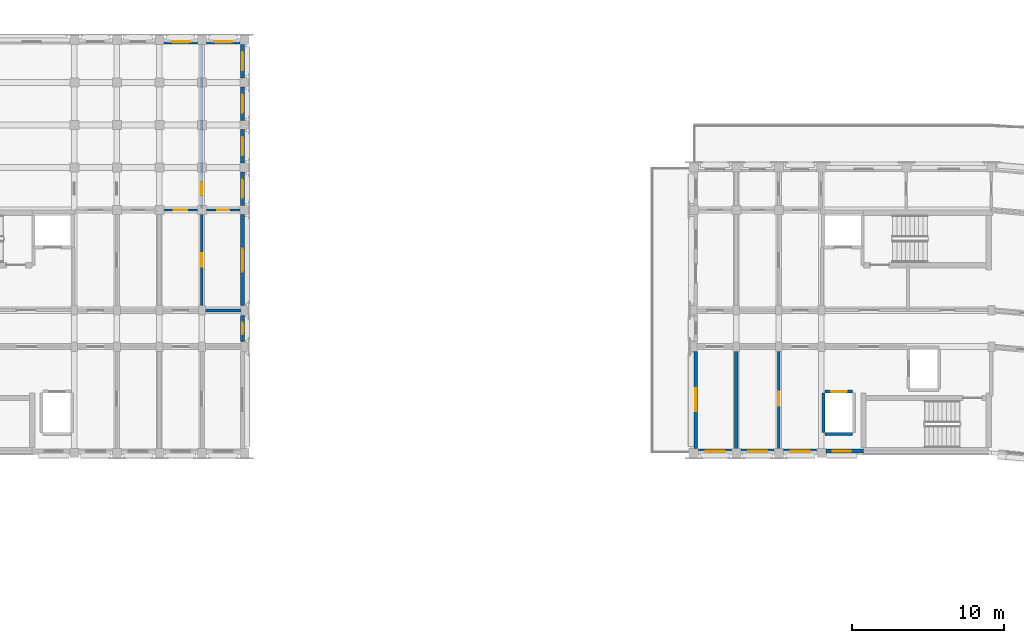
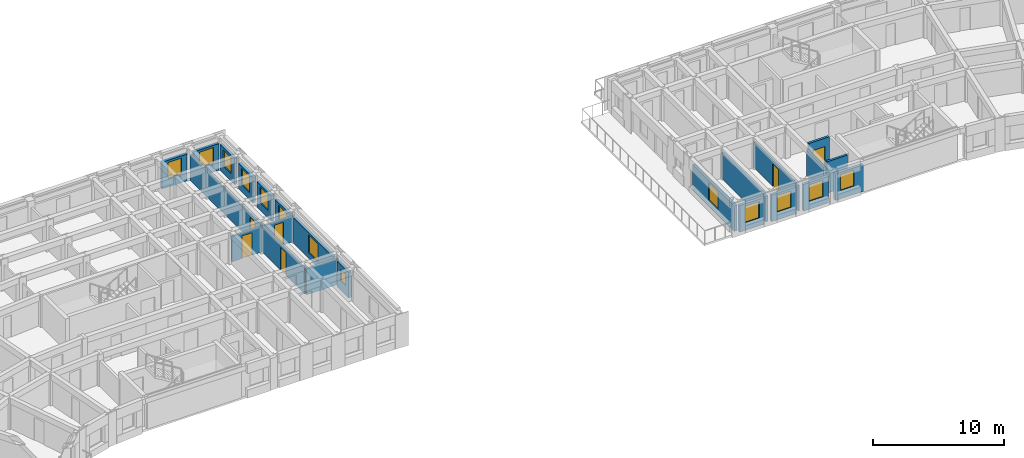
# One storey, part 17 of 36: 23 walls, 13 windows, 6 doors, 19 openings.
"""IFC4 building model written with IfcOpenShell, lengths in metres."""

from ifc_helpers import new_model, si_unit, direction, frame, frame_2d, origin, place, context, subcontext, project, spatial, rectangle, extrude, material, layer, layer_set, type_object, element, fill, save


model = new_model("IFC4")

# Units and contexts
model_context = context("Model", 3, precision=1e-05, world=origin(), true_north=direction((0.0, 1.0)))
body_context = subcontext(model_context, "Body", "Model", "MODEL_VIEW")
ifc_project = project(units=[si_unit("LENGTHUNIT", "METRE"), si_unit("AREAUNIT", "SQUARE_METRE"), si_unit("VOLUMEUNIT", "CUBIC_METRE"), si_unit("PLANEANGLEUNIT", "RADIAN"), si_unit("MASSUNIT", "GRAM", prefix="KILO")], contexts=[model_context])

# Site, building, storey
site_placement = place(None, origin())
site = spatial("IfcSite", under=ifc_project, at=site_placement, CompositionType="ELEMENT")
building_placement = place(site_placement, origin())
building = spatial("IfcBuilding", under=site, at=building_placement, Name="Kiranvali Square Residences", CompositionType="ELEMENT")
storey_placement = place(building_placement, frame((0.0, 0.0, 37.050048828125)))
storey = spatial("IfcBuildingStorey", under=building, at=storey_placement, Name="L11", CompositionType="ELEMENT", Elevation=37.050048828125)

# Walls
ifc_material_1 = material(Name="Autoclaved aerated concrete blockwork masonry", Category="masonry")
ifc_layer_1 = layer(ifc_material_1, 0.199951171875)
ifc_layer_set_1 = layer_set([ifc_layer_1], Name="Autoclaved aerated concrete blockwork masonry")
wall_type_1 = type_object("IfcWallType", Name="WL-COR-200", PredefinedType="STANDARD", material=ifc_layer_set_1)
wall_1_placement = place(storey_placement, frame((67.800048828125, 116.0, 0.0), z_axis=(0.0, 0.0, 1.0), x_axis=(1.0, 0.0, 0.0)))
element("IfcWall", 1, at=wall_1_placement, inside=storey, type_object=wall_type_1, Name="L11 architectural wall WL-L11-A-A1CO-3", PredefinedType="STANDARD", context=body_context, shape_type="SweptSolid", body=[
    extrude(rectangle(XDim=2.800048828125, YDim=0.199951171875, at=frame_2d((1.39990234375, 0.0))), origin(), (0.0, 0.0, 1.0), 2.3720703125),
])
ifc_layer_2 = layer(ifc_material_1, 0.219970703125)
ifc_layer_set_2 = layer_set([ifc_layer_2], Name="Autoclaved aerated concrete blockwork masonry")
wall_type_2 = type_object("IfcWallType", Name="WL-DEM-220", PredefinedType="STANDARD", material=ifc_layer_set_2)
wall_2_placement = place(storey_placement, frame((103.0, 106.800048828125, 0.0), z_axis=(0.0, 0.0, 1.0), x_axis=(0.0, 1.0, 0.0)))
element("IfcWall", 2, at=wall_2_placement, inside=storey, type_object=wall_type_2, Name="L11 architectural wall WL-L11-B-A1TI-2", PredefinedType="STANDARD", context=body_context, shape_type="SweptSolid", body=[
    extrude(rectangle(XDim=6.75, YDim=0.219970703125, at=frame_2d((3.375, 0.0))), origin(), (0.0, 0.0, 1.0), 2.3720703125),
])

# Wall, opening, window
ifc_material_2 = material(Name="Breathable lime-rendered clay brick masonry", Category="masonry")
ifc_layer_3 = layer(ifc_material_2, 0.25)
ifc_layer_set_3 = layer_set([ifc_layer_3], Name="Breathable lime-rendered clay brick masonry")
wall_type_3 = type_object("IfcWallType", Name="WL-EXT-250", PredefinedType="STANDARD", material=ifc_layer_set_3)
wall_3_placement = place(storey_placement, frame((65.303466796875, 133.675048828125, 0.0), z_axis=(0.0, 0.0, 1.0), x_axis=(1.0, 0.0, 0.0)))
wall_3 = element("IfcWall", 3, at=wall_3_placement, inside=storey, type_object=wall_type_3, Name="L11 exterior wall A-L11-A1O-4", PredefinedType="STANDARD", context=body_context, shape_type="SweptSolid", body=[
    extrude(rectangle(XDim=2.193115234375, YDim=0.25, at=frame_2d((1.0966796875, 0.0))), origin(), (0.0, 0.0, 1.0), 2.47998046875),
])
opening_1_placement = place(wall_3_placement, frame((0.49658203125, 0.0, 0.780029296875)))
opening_1 = element("IfcOpeningElement", 4, at=opening_1_placement, cuts=wall_3, Name="Opening W-06", PredefinedType="OPENING", context=body_context, shape_type="SweptSolid", body=[
    extrude(rectangle(XDim=1.199951171875, YDim=1.5, at=frame_2d((0.60009765625, 0.75))), frame((0.0, 0.135009765625, 0.0), z_axis=(0.0, -1.0, 0.0), x_axis=(1.0, 0.0, 0.0)), (0.0, 0.0, 1.0), 0.27001953125),
])
ifc_material_3 = material(Name="Solar-control low-e double glazing", Category="glass")
window_type_1 = type_object("IfcWindowType", Name="WIN-RES-1200x1500", PartitioningType="SINGLE_PANEL", PredefinedType="WINDOW", material=ifc_material_3)
window_1_placement = place(opening_1_placement, origin())
window_1 = element("IfcWindow", 5, at=window_1_placement, inside=storey, type_object=window_type_1, Name="L11 recessed window A-L11-A1O-4", OverallHeight=1.5, OverallWidth=1.199951171875, PartitioningType="SINGLE_PANEL", PredefinedType="WINDOW", context=body_context, shape_type="SweptSolid", body=[
    extrude(rectangle(XDim=1.199951171875, YDim=1.5, at=frame_2d((0.60009765625, 0.75))), frame((0.0, 0.030029296875, 0.0), z_axis=(0.0, -1.0, 0.0), x_axis=(1.0, 0.0, 0.0)), (0.0, 0.0, 1.0), 0.06005859375),
])
fill(opening_1, window_1)

wall_4_placement = place(storey_placement, frame((68.103515625, 133.675048828125, 0.0), z_axis=(0.0, 0.0, 1.0), x_axis=(1.0, 0.0, 0.0)))
wall_4 = element("IfcWall", 6, at=wall_4_placement, inside=storey, type_object=wall_type_3, Name="L11 exterior wall A-L11-A1O-5", PredefinedType="STANDARD", context=body_context, shape_type="SweptSolid", body=[
    extrude(rectangle(XDim=2.19287109375, YDim=0.25, at=frame_2d((1.096435546875, 0.0))), origin(), (0.0, 0.0, 1.0), 2.47998046875),
])
opening_2_placement = place(wall_4_placement, frame((0.49658203125, 0.0, 0.780029296875)))
opening_2 = element("IfcOpeningElement", 7, at=opening_2_placement, cuts=wall_4, Name="Opening W-06", PredefinedType="OPENING", context=body_context, shape_type="SweptSolid", body=[
    extrude(rectangle(XDim=1.199951171875, YDim=1.5, at=frame_2d((0.60009765625, 0.75))), frame((0.0, 0.135009765625, 0.0), z_axis=(0.0, -1.0, 0.0), x_axis=(1.0, 0.0, 0.0)), (0.0, 0.0, 1.0), 0.27001953125),
])
window_2_placement = place(opening_2_placement, origin())
window_2 = element("IfcWindow", 8, at=window_2_placement, inside=storey, type_object=window_type_1, Name="L11 recessed window A-L11-A1O-5", OverallHeight=1.5, OverallWidth=1.199951171875, PartitioningType="SINGLE_PANEL", PredefinedType="WINDOW", context=body_context, shape_type="SweptSolid", body=[
    extrude(rectangle(XDim=1.199951171875, YDim=1.5, at=frame_2d((0.60009765625, 0.75))), frame((0.0, 0.030029296875, 0.0), z_axis=(0.0, -1.0, 0.0), x_axis=(1.0, 0.0, 0.0)), (0.0, 0.0, 1.0), 0.06005859375),
])
fill(opening_2, window_2)

wall_5_placement = place(storey_placement, frame((70.47509765625, 113.928466796875, 0.0), z_axis=(0.0, 0.0, 1.0), x_axis=(0.0, 1.0, 0.0)))
wall_5 = element("IfcWall", 9, at=wall_5_placement, inside=storey, type_object=wall_type_3, Name="L11 exterior wall A-L11-A1END-1", PredefinedType="STANDARD", context=body_context, shape_type="SweptSolid", body=[
    extrude(rectangle(XDim=1.742919921875, YDim=0.25, at=frame_2d((0.87158203125, 0.0))), origin(), (0.0, 0.0, 1.0), 2.3720703125),
])
opening_3_placement = place(wall_5_placement, frame((0.49658203125, 0.0, 0.8798828125)))
opening_3 = element("IfcOpeningElement", 10, at=opening_3_placement, cuts=wall_5, Name="Opening W-07", PredefinedType="OPENING", context=body_context, shape_type="SweptSolid", body=[
    extrude(rectangle(XDim=0.75, YDim=1.050048828125, at=frame_2d((0.375, 0.52490234375))), frame((0.0, 0.135009765625, 0.0), z_axis=(0.0, -1.0, 0.0), x_axis=(1.0, 0.0, 0.0)), (0.0, 0.0, 1.0), 0.27001953125),
])
window_type_2 = type_object("IfcWindowType", Name="WIN-WET-750x1050", PartitioningType="SINGLE_PANEL", PredefinedType="WINDOW", material=ifc_material_3)
window_3_placement = place(opening_3_placement, origin())
window_3 = element("IfcWindow", 11, at=window_3_placement, inside=storey, type_object=window_type_2, Name="L11 recessed window A-L11-A1END-1", OverallHeight=1.050048828125, OverallWidth=0.75, PartitioningType="SINGLE_PANEL", PredefinedType="WINDOW", context=body_context, shape_type="SweptSolid", body=[
    extrude(rectangle(XDim=0.75, YDim=1.050048828125, at=frame_2d((0.375, 0.52490234375))), frame((0.0, 0.030029296875, 0.0), z_axis=(0.0, -1.0, 0.0), x_axis=(1.0, 0.0, 0.0)), (0.0, 0.0, 1.0), 0.06005859375),
])
fill(opening_3, window_3)

wall_6_placement = place(storey_placement, frame((70.47509765625, 116.32861328125, 0.0), z_axis=(0.0, 0.0, 1.0), x_axis=(0.0, 1.0, 0.0)))
wall_6 = element("IfcWall", 12, at=wall_6_placement, inside=storey, type_object=wall_type_3, Name="L11 exterior wall A-L11-A1END-2", PredefinedType="STANDARD", context=body_context, shape_type="SweptSolid", body=[
    extrude(rectangle(XDim=5.9677734375, YDim=0.25, at=frame_2d((2.98388671875, 0.0))), origin(), (0.0, 0.0, 1.0), 2.3720703125),
])
opening_4_placement = place(wall_6_placement, frame((2.221435546875, 0.0, 0.52197265625)))
opening_4 = element("IfcOpeningElement", 13, at=opening_4_placement, cuts=wall_6, Name="Opening W-05", PredefinedType="OPENING", context=body_context, shape_type="SweptSolid", body=[
    extrude(rectangle(XDim=1.5, YDim=1.64990234375, at=frame_2d((0.75, 0.824951171875))), frame((0.0, 0.135009765625, 0.0), z_axis=(0.0, -1.0, 0.0), x_axis=(1.0, 0.0, 0.0)), (0.0, 0.0, 1.0), 0.27001953125),
])
window_type_3 = type_object("IfcWindowType", Name="WIN-RES-1500x1650", PartitioningType="DOUBLE_PANEL_VERTICAL", PredefinedType="WINDOW", material=ifc_material_3)
window_4_placement = place(opening_4_placement, origin())
window_4 = element("IfcWindow", 14, at=window_4_placement, inside=storey, type_object=window_type_3, Name="L11 recessed window A-L11-A1END-2", OverallHeight=1.64990234375, OverallWidth=1.5, PartitioningType="DOUBLE_PANEL_VERTICAL", PredefinedType="WINDOW", context=body_context, shape_type="SweptSolid", body=[
    extrude(rectangle(XDim=1.5, YDim=1.64990234375, at=frame_2d((0.75, 0.824951171875))), frame((0.0, 0.030029296875, 0.0), z_axis=(0.0, -1.0, 0.0), x_axis=(1.0, 0.0, 0.0)), (0.0, 0.0, 1.0), 0.06005859375),
])
fill(opening_4, window_4)

wall_7_placement = place(storey_placement, frame((70.47509765625, 122.903564453125, 0.0), z_axis=(0.0, 0.0, 1.0), x_axis=(0.0, 1.0, 0.0)))
wall_7 = element("IfcWall", 15, at=wall_7_placement, inside=storey, type_object=wall_type_3, Name="L11 exterior wall A-L11-A1END-3", PredefinedType="STANDARD", context=body_context, shape_type="SweptSolid", body=[
    extrude(rectangle(XDim=2.19287109375, YDim=0.25, at=frame_2d((1.096435546875, 0.0))), origin(), (0.0, 0.0, 1.0), 2.3720703125),
])
opening_5_placement = place(wall_7_placement, frame((0.49658203125, 0.0, 0.672119140625)))
opening_5 = element("IfcOpeningElement", 16, at=opening_5_placement, cuts=wall_7, Name="Opening W-06", PredefinedType="OPENING", context=body_context, shape_type="SweptSolid", body=[
    extrude(rectangle(XDim=1.199951171875, YDim=1.5, at=frame_2d((0.60009765625, 0.75))), frame((0.0, 0.135009765625, 0.0), z_axis=(0.0, -1.0, 0.0), x_axis=(1.0, 0.0, 0.0)), (0.0, 0.0, 1.0), 0.27001953125),
])
window_5_placement = place(opening_5_placement, origin())
window_5 = element("IfcWindow", 17, at=window_5_placement, inside=storey, type_object=window_type_1, Name="L11 recessed window A-L11-A1END-3", OverallHeight=1.5, OverallWidth=1.199951171875, PartitioningType="SINGLE_PANEL", PredefinedType="WINDOW", context=body_context, shape_type="SweptSolid", body=[
    extrude(rectangle(XDim=1.199951171875, YDim=1.5, at=frame_2d((0.60009765625, 0.75))), frame((0.0, 0.030029296875, 0.0), z_axis=(0.0, -1.0, 0.0), x_axis=(1.0, 0.0, 0.0)), (0.0, 0.0, 1.0), 0.06005859375),
])
fill(opening_5, window_5)

wall_8_placement = place(storey_placement, frame((70.47509765625, 125.70361328125, 0.0), z_axis=(0.0, 0.0, 1.0), x_axis=(0.0, 1.0, 0.0)))
wall_8 = element("IfcWall", 18, at=wall_8_placement, inside=storey, type_object=wall_type_3, Name="L11 exterior wall A-L11-A1END-4", PredefinedType="STANDARD", context=body_context, shape_type="SweptSolid", body=[
    extrude(rectangle(XDim=2.19287109375, YDim=0.25, at=frame_2d((1.096435546875, 0.0))), origin(), (0.0, 0.0, 1.0), 2.3720703125),
])
opening_6_placement = place(wall_8_placement, frame((0.49658203125, 0.0, 0.672119140625)))
opening_6 = element("IfcOpeningElement", 19, at=opening_6_placement, cuts=wall_8, Name="Opening W-06", PredefinedType="OPENING", context=body_context, shape_type="SweptSolid", body=[
    extrude(rectangle(XDim=1.199951171875, YDim=1.5, at=frame_2d((0.60009765625, 0.75))), frame((0.0, 0.135009765625, 0.0), z_axis=(0.0, -1.0, 0.0), x_axis=(1.0, 0.0, 0.0)), (0.0, 0.0, 1.0), 0.27001953125),
])
window_6_placement = place(opening_6_placement, origin())
window_6 = element("IfcWindow", 20, at=window_6_placement, inside=storey, type_object=window_type_1, Name="L11 recessed window A-L11-A1END-4", OverallHeight=1.5, OverallWidth=1.199951171875, PartitioningType="SINGLE_PANEL", PredefinedType="WINDOW", context=body_context, shape_type="SweptSolid", body=[
    extrude(rectangle(XDim=1.199951171875, YDim=1.5, at=frame_2d((0.60009765625, 0.75))), frame((0.0, 0.030029296875, 0.0), z_axis=(0.0, -1.0, 0.0), x_axis=(1.0, 0.0, 0.0)), (0.0, 0.0, 1.0), 0.06005859375),
])
fill(opening_6, window_6)

wall_9_placement = place(storey_placement, frame((70.47509765625, 128.50341796875, 0.0), z_axis=(0.0, 0.0, 1.0), x_axis=(0.0, 1.0, 0.0)))
wall_9 = element("IfcWall", 21, at=wall_9_placement, inside=storey, type_object=wall_type_3, Name="L11 exterior wall A-L11-A1END-5", PredefinedType="STANDARD", context=body_context, shape_type="SweptSolid", body=[
    extrude(rectangle(XDim=2.193115234375, YDim=0.25, at=frame_2d((1.0966796875, 0.0))), origin(), (0.0, 0.0, 1.0), 2.3720703125),
])
opening_7_placement = place(wall_9_placement, frame((0.49658203125, 0.0, 0.672119140625)))
opening_7 = element("IfcOpeningElement", 22, at=opening_7_placement, cuts=wall_9, Name="Opening W-06", PredefinedType="OPENING", context=body_context, shape_type="SweptSolid", body=[
    extrude(rectangle(XDim=1.199951171875, YDim=1.5, at=frame_2d((0.60009765625, 0.75))), frame((0.0, 0.135009765625, 0.0), z_axis=(0.0, -1.0, 0.0), x_axis=(1.0, 0.0, 0.0)), (0.0, 0.0, 1.0), 0.27001953125),
])
window_7_placement = place(opening_7_placement, origin())
window_7 = element("IfcWindow", 23, at=window_7_placement, inside=storey, type_object=window_type_1, Name="L11 recessed window A-L11-A1END-5", OverallHeight=1.5, OverallWidth=1.199951171875, PartitioningType="SINGLE_PANEL", PredefinedType="WINDOW", context=body_context, shape_type="SweptSolid", body=[
    extrude(rectangle(XDim=1.199951171875, YDim=1.5, at=frame_2d((0.60009765625, 0.75))), frame((0.0, 0.030029296875, 0.0), z_axis=(0.0, -1.0, 0.0), x_axis=(1.0, 0.0, 0.0)), (0.0, 0.0, 1.0), 0.06005859375),
])
fill(opening_7, window_7)

wall_10_placement = place(storey_placement, frame((70.47509765625, 131.303466796875, 0.0), z_axis=(0.0, 0.0, 1.0), x_axis=(0.0, 1.0, 0.0)))
wall_10 = element("IfcWall", 24, at=wall_10_placement, inside=storey, type_object=wall_type_3, Name="L11 exterior wall A-L11-A1END-6", PredefinedType="STANDARD", context=body_context, shape_type="SweptSolid", body=[
    extrude(rectangle(XDim=2.193115234375, YDim=0.25, at=frame_2d((1.0966796875, 0.0))), origin(), (0.0, 0.0, 1.0), 2.411865234375),
])
opening_8_placement = place(wall_10_placement, frame((0.49658203125, 0.0, 0.7119140625)))
opening_8 = element("IfcOpeningElement", 25, at=opening_8_placement, cuts=wall_10, Name="Opening W-06", PredefinedType="OPENING", context=body_context, shape_type="SweptSolid", body=[
    extrude(rectangle(XDim=1.199951171875, YDim=1.5, at=frame_2d((0.60009765625, 0.75))), frame((0.0, 0.135009765625, 0.0), z_axis=(0.0, -1.0, 0.0), x_axis=(1.0, 0.0, 0.0)), (0.0, 0.0, 1.0), 0.27001953125),
])
window_8_placement = place(opening_8_placement, origin())
window_8 = element("IfcWindow", 26, at=window_8_placement, inside=storey, type_object=window_type_1, Name="L11 recessed window A-L11-A1END-6", OverallHeight=1.5, OverallWidth=1.199951171875, PartitioningType="SINGLE_PANEL", PredefinedType="WINDOW", context=body_context, shape_type="SweptSolid", body=[
    extrude(rectangle(XDim=1.199951171875, YDim=1.5, at=frame_2d((0.60009765625, 0.75))), frame((0.0, 0.030029296875, 0.0), z_axis=(0.0, -1.0, 0.0), x_axis=(1.0, 0.0, 0.0)), (0.0, 0.0, 1.0), 0.06005859375),
])
fill(opening_8, window_8)

wall_11_placement = place(storey_placement, frame((111.37158203125, 106.72509765625, 0.0), z_axis=(0.0, 0.0, 1.0), x_axis=(-1.0, 0.0, 0.0)))
wall_11 = element("IfcWall", 27, at=wall_11_placement, inside=storey, type_object=wall_type_3, Name="L11 exterior wall B-L11-A1IN-0", PredefinedType="STANDARD", context=body_context, shape_type="SweptSolid", body=[
    extrude(rectangle(XDim=2.468017578125, YDim=0.25, at=frame_2d((1.23388671875, 0.0))), origin(), (0.0, 0.0, 1.0), 2.471923828125),
])
opening_9_placement = place(wall_11_placement, frame((0.821533203125, 0.0, 0.77197265625)))
opening_9 = element("IfcOpeningElement", 28, at=opening_9_placement, cuts=wall_11, Name="Opening W-06", PredefinedType="OPENING", context=body_context, shape_type="SweptSolid", body=[
    extrude(rectangle(XDim=1.199951171875, YDim=1.5, at=frame_2d((0.60009765625, 0.75))), frame((0.0, 0.135009765625, 0.0), z_axis=(0.0, -1.0, 0.0), x_axis=(1.0, 0.0, 0.0)), (0.0, 0.0, 1.0), 0.27001953125),
])
window_9_placement = place(opening_9_placement, origin())
window_9 = element("IfcWindow", 29, at=window_9_placement, inside=storey, type_object=window_type_1, Name="L11 recessed window B-L11-A1IN-0", OverallHeight=1.5, OverallWidth=1.199951171875, PartitioningType="SINGLE_PANEL", PredefinedType="WINDOW", context=body_context, shape_type="SweptSolid", body=[
    extrude(rectangle(XDim=1.199951171875, YDim=1.5, at=frame_2d((0.60009765625, 0.75))), frame((0.0, 0.030029296875, 0.0), z_axis=(0.0, -1.0, 0.0), x_axis=(1.0, 0.0, 0.0)), (0.0, 0.0, 1.0), 0.06005859375),
])
fill(opening_9, window_9)

wall_12_placement = place(storey_placement, frame((108.29638671875, 106.72509765625, 0.0), z_axis=(0.0, 0.0, 1.0), x_axis=(-1.0, 0.0, 0.0)))
wall_12 = element("IfcWall", 30, at=wall_12_placement, inside=storey, type_object=wall_type_3, Name="L11 exterior wall B-L11-A1I-0", PredefinedType="STANDARD", context=body_context, shape_type="SweptSolid", body=[
    extrude(rectangle(XDim=2.19287109375, YDim=0.25, at=frame_2d((1.096435546875, 0.0))), origin(), (0.0, 0.0, 1.0), 2.471923828125),
])
opening_10_placement = place(wall_12_placement, frame((0.471435546875, 0.0, 0.721923828125)))
opening_10 = element("IfcOpeningElement", 31, at=opening_10_placement, cuts=wall_12, Name="Opening W-19", PredefinedType="OPENING", context=body_context, shape_type="SweptSolid", body=[
    extrude(rectangle(XDim=1.25, YDim=1.550048828125, at=frame_2d((0.625, 0.77490234375))), frame((0.0, 0.135009765625, 0.0), z_axis=(0.0, -1.0, 0.0), x_axis=(1.0, 0.0, 0.0)), (0.0, 0.0, 1.0), 0.27001953125),
])
window_type_4 = type_object("IfcWindowType", Name="WIN-GDN-1250x1550", PartitioningType="SINGLE_PANEL", PredefinedType="WINDOW", material=ifc_material_3)
window_10_placement = place(opening_10_placement, origin())
window_10 = element("IfcWindow", 32, at=window_10_placement, inside=storey, type_object=window_type_4, Name="L11 recessed window B-L11-A1I-0", OverallHeight=1.550048828125, OverallWidth=1.25, PartitioningType="SINGLE_PANEL", PredefinedType="WINDOW", context=body_context, shape_type="SweptSolid", body=[
    extrude(rectangle(XDim=1.25, YDim=1.550048828125, at=frame_2d((0.625, 0.77490234375))), frame((0.0, 0.030029296875, 0.0), z_axis=(0.0, -1.0, 0.0), x_axis=(1.0, 0.0, 0.0)), (0.0, 0.0, 1.0), 0.06005859375),
])
fill(opening_10, window_10)

wall_13_placement = place(storey_placement, frame((105.49658203125, 106.72509765625, 0.0), z_axis=(0.0, 0.0, 1.0), x_axis=(-1.0, 0.0, 0.0)))
wall_13 = element("IfcWall", 33, at=wall_13_placement, inside=storey, type_object=wall_type_3, Name="L11 exterior wall B-L11-A1I-1", PredefinedType="STANDARD", context=body_context, shape_type="SweptSolid", body=[
    extrude(rectangle(XDim=2.193115234375, YDim=0.25, at=frame_2d((1.0966796875, 0.0))), origin(), (0.0, 0.0, 1.0), 2.471923828125),
])
opening_11_placement = place(wall_13_placement, frame((0.471435546875, 0.0, 0.721923828125)))
opening_11 = element("IfcOpeningElement", 34, at=opening_11_placement, cuts=wall_13, Name="Opening W-19", PredefinedType="OPENING", context=body_context, shape_type="SweptSolid", body=[
    extrude(rectangle(XDim=1.25, YDim=1.550048828125, at=frame_2d((0.625, 0.77490234375))), frame((0.0, 0.135009765625, 0.0), z_axis=(0.0, -1.0, 0.0), x_axis=(1.0, 0.0, 0.0)), (0.0, 0.0, 1.0), 0.27001953125),
])
window_11_placement = place(opening_11_placement, origin())
window_11 = element("IfcWindow", 35, at=window_11_placement, inside=storey, type_object=window_type_4, Name="L11 recessed window B-L11-A1I-1", OverallHeight=1.550048828125, OverallWidth=1.25, PartitioningType="SINGLE_PANEL", PredefinedType="WINDOW", context=body_context, shape_type="SweptSolid", body=[
    extrude(rectangle(XDim=1.25, YDim=1.550048828125, at=frame_2d((0.625, 0.77490234375))), frame((0.0, 0.030029296875, 0.0), z_axis=(0.0, -1.0, 0.0), x_axis=(1.0, 0.0, 0.0)), (0.0, 0.0, 1.0), 0.06005859375),
])
fill(opening_11, window_11)

wall_14_placement = place(storey_placement, frame((102.696533203125, 106.72509765625, 0.0), z_axis=(0.0, 0.0, 1.0), x_axis=(-1.0, 0.0, 0.0)))
wall_14 = element("IfcWall", 36, at=wall_14_placement, inside=storey, type_object=wall_type_3, Name="L11 exterior wall B-L11-A1I-2", PredefinedType="STANDARD", context=body_context, shape_type="SweptSolid", body=[
    extrude(rectangle(XDim=2.193115234375, YDim=0.25, at=frame_2d((1.0966796875, 0.0))), origin(), (0.0, 0.0, 1.0), 2.471923828125),
])
opening_12_placement = place(wall_14_placement, frame((0.471435546875, 0.0, 0.721923828125)))
opening_12 = element("IfcOpeningElement", 37, at=opening_12_placement, cuts=wall_14, Name="Opening W-19", PredefinedType="OPENING", context=body_context, shape_type="SweptSolid", body=[
    extrude(rectangle(XDim=1.25, YDim=1.550048828125, at=frame_2d((0.625, 0.77490234375))), frame((0.0, 0.135009765625, 0.0), z_axis=(0.0, -1.0, 0.0), x_axis=(1.0, 0.0, 0.0)), (0.0, 0.0, 1.0), 0.27001953125),
])
window_12_placement = place(opening_12_placement, origin())
window_12 = element("IfcWindow", 38, at=window_12_placement, inside=storey, type_object=window_type_4, Name="L11 recessed window B-L11-A1I-2", OverallHeight=1.550048828125, OverallWidth=1.25, PartitioningType="SINGLE_PANEL", PredefinedType="WINDOW", context=body_context, shape_type="SweptSolid", body=[
    extrude(rectangle(XDim=1.25, YDim=1.550048828125, at=frame_2d((0.625, 0.77490234375))), frame((0.0, 0.030029296875, 0.0), z_axis=(0.0, -1.0, 0.0), x_axis=(1.0, 0.0, 0.0)), (0.0, 0.0, 1.0), 0.06005859375),
])
fill(opening_12, window_12)

wall_15_placement = place(storey_placement, frame((100.324951171875, 106.903564453125, 0.0), z_axis=(0.0, 0.0, 1.0), x_axis=(0.0, 1.0, 0.0)))
wall_15 = element("IfcWall", 39, at=wall_15_placement, inside=storey, type_object=wall_type_3, Name="L11 exterior wall B-L11-A1END-0", PredefinedType="STANDARD", context=body_context, shape_type="SweptSolid", body=[
    extrude(rectangle(XDim=6.367919921875, YDim=0.25, at=frame_2d((3.18408203125, 0.0))), origin(), (0.0, 0.0, 1.0), 2.3720703125),
])
opening_13_placement = place(wall_15_placement, frame((2.446533203125, 0.0, 0.52197265625)))
opening_13 = element("IfcOpeningElement", 40, at=opening_13_placement, cuts=wall_15, Name="Opening W-05", PredefinedType="OPENING", context=body_context, shape_type="SweptSolid", body=[
    extrude(rectangle(XDim=1.5, YDim=1.64990234375, at=frame_2d((0.75, 0.824951171875))), frame((0.0, 0.135009765625, 0.0), z_axis=(0.0, -1.0, 0.0), x_axis=(1.0, 0.0, 0.0)), (0.0, 0.0, 1.0), 0.27001953125),
])
window_13_placement = place(opening_13_placement, origin())
window_13 = element("IfcWindow", 41, at=window_13_placement, inside=storey, type_object=window_type_3, Name="L11 recessed window B-L11-A1END-0", OverallHeight=1.64990234375, OverallWidth=1.5, PartitioningType="DOUBLE_PANEL_VERTICAL", PredefinedType="WINDOW", context=body_context, shape_type="SweptSolid", body=[
    extrude(rectangle(XDim=1.5, YDim=1.64990234375, at=frame_2d((0.75, 0.824951171875))), frame((0.0, 0.030029296875, 0.0), z_axis=(0.0, -1.0, 0.0), x_axis=(1.0, 0.0, 0.0)), (0.0, 0.0, 1.0), 0.06005859375),
])
fill(opening_13, window_13)

# Wall, opening, door
ifc_material_4 = material(Name="Acoustic gypsum board drylined partition", Category="gypsum")
ifc_layer_4 = layer(ifc_material_4, 0.14990234375)
ifc_layer_set_4 = layer_set([ifc_layer_4], Name="Acoustic gypsum board drylined partition")
wall_type_4 = type_object("IfcWallType", Name="WL-PRT-150", PredefinedType="PARTITIONING", material=ifc_layer_set_4)
wall_16_placement = place(storey_placement, frame((67.800048828125, 116.050048828125, 0.0), z_axis=(0.0, 0.0, 1.0), x_axis=(0.0, 1.0, 0.0)))
wall_16 = element("IfcWall", 42, at=wall_16_placement, inside=storey, type_object=wall_type_4, Name="L11 architectural wall WL-L11-A-A1TO1-3", PredefinedType="PARTITIONING", context=body_context, shape_type="SweptSolid", body=[
    extrude(rectangle(XDim=6.530029296875, YDim=0.14990234375, at=frame_2d((3.26513671875, 0.0))), origin(), (0.0, 0.0, 1.0), 2.3720703125),
])
opening_14_placement = place(wall_16_placement, frame((2.81494140625, 0.0, 0.0)))
opening_14 = element("IfcOpeningElement", 43, at=opening_14_placement, cuts=wall_16, Name="Opening ID-1", PredefinedType="OPENING", context=body_context, shape_type="SweptSolid", body=[
    extrude(rectangle(XDim=0.89990234375, YDim=2.10009765625, at=frame_2d((0.449951171875, 1.050048828125))), frame((0.0, 0.0849609375, 0.0), z_axis=(0.0, -1.0, 0.0), x_axis=(1.0, 0.0, 0.0)), (0.0, 0.0, 1.0), 0.169921875),
])
ifc_material_5 = material(Name="Solid seasoned teak hardwood joinery", Category="wood")
door_type_1 = type_object("IfcDoorType", Name="DR-INT-900", OperationType="NOTDEFINED", PredefinedType="DOOR", material=ifc_material_5)
door_1_placement = place(opening_14_placement, origin())
door_1 = element("IfcDoor", 44, at=door_1_placement, inside=storey, type_object=door_type_1, Name="L11 door DR-L11-0703 (DR-INT-900)", OperationType="SINGLE_SWING_LEFT", OverallHeight=2.10009765625, OverallWidth=0.89990234375, PredefinedType="DOOR", context=body_context, shape_type="SweptSolid", body=[
    extrude(rectangle(XDim=0.89990234375, YDim=2.10009765625, at=frame_2d((0.449951171875, 1.050048828125))), frame((0.0, 0.02490234375, 0.0), z_axis=(0.0, -1.0, 0.0), x_axis=(1.0, 0.0, 0.0)), (0.0, 0.0, 1.0), 0.050048828125),
])
fill(opening_14, door_1)

wall_17_placement = place(storey_placement, frame((67.800048828125, 122.699951171875, 0.0), z_axis=(0.0, 0.0, 1.0), x_axis=(0.0, 1.0, 0.0)))
wall_17 = element("IfcWall", 45, at=wall_17_placement, inside=storey, type_object=wall_type_4, Name="L11 architectural wall WL-L11-A-A1TO2-3", PredefinedType="PARTITIONING", context=body_context, shape_type="SweptSolid", body=[
    extrude(rectangle(XDim=10.820068359375, YDim=0.14990234375, at=frame_2d((5.41015625, 0.0))), origin(), (0.0, 0.0, 1.0), 2.3720703125),
])
opening_15_placement = place(wall_17_placement, frame((0.8994140625, 0.0, 0.0)))
opening_15 = element("IfcOpeningElement", 46, at=opening_15_placement, cuts=wall_17, Name="Opening ID-WET", PredefinedType="OPENING", context=body_context, shape_type="SweptSolid", body=[
    extrude(rectangle(XDim=0.800048828125, YDim=2.10009765625, at=frame_2d((0.39990234375, 1.050048828125))), frame((0.0, 0.0849609375, 0.0), z_axis=(0.0, -1.0, 0.0), x_axis=(1.0, 0.0, 0.0)), (0.0, 0.0, 1.0), 0.169921875),
])
door_type_2 = type_object("IfcDoorType", Name="DR-WET-800", OperationType="NOTDEFINED", PredefinedType="DOOR", material=ifc_material_5)
door_2_placement = place(opening_15_placement, frame((0.800048828125, 0.0, 0.0), z_axis=(0.0, 0.0, 1.0), x_axis=(-1.0, 0.0, 0.0)))
door_2 = element("IfcDoor", 47, at=door_2_placement, inside=storey, type_object=door_type_2, Name="L11 door DR-L11-0704 (DR-WET-800)", OperationType="SINGLE_SWING_RIGHT", OverallHeight=2.10009765625, OverallWidth=0.800048828125, PredefinedType="DOOR", context=body_context, shape_type="SweptSolid", body=[
    extrude(rectangle(XDim=0.800048828125, YDim=2.10009765625, at=frame_2d((0.39990234375, 1.050048828125))), frame((0.0, 0.02490234375, 0.0), z_axis=(0.0, -1.0, 0.0), x_axis=(1.0, 0.0, 0.0)), (0.0, 0.0, 1.0), 0.050048828125),
])
fill(opening_15, door_2)

wall_18_placement = place(storey_placement, frame((105.800048828125, 106.800048828125, 0.0), z_axis=(0.0, 0.0, 1.0), x_axis=(0.0, 1.0, 0.0)))
wall_18 = element("IfcWall", 48, at=wall_18_placement, inside=storey, type_object=wall_type_4, Name="L11 architectural wall WL-L11-B-A1TI-1", PredefinedType="PARTITIONING", context=body_context, shape_type="SweptSolid", body=[
    extrude(rectangle(XDim=6.75, YDim=0.14990234375, at=frame_2d((3.375, 0.0))), origin(), (0.0, 0.0, 1.0), 2.3720703125),
])
opening_16_placement = place(wall_18_placement, frame((2.925048828125, 0.0, 0.0)))
opening_16 = element("IfcOpeningElement", 49, at=opening_16_placement, cuts=wall_18, Name="Opening ID-1", PredefinedType="OPENING", context=body_context, shape_type="SweptSolid", body=[
    extrude(rectangle(XDim=0.89990234375, YDim=2.10009765625, at=frame_2d((0.449951171875, 1.050048828125))), frame((0.0, 0.0849609375, 0.0), z_axis=(0.0, -1.0, 0.0), x_axis=(1.0, 0.0, 0.0)), (0.0, 0.0, 1.0), 0.169921875),
])
door_3_placement = place(opening_16_placement, origin())
door_3 = element("IfcDoor", 50, at=door_3_placement, inside=storey, type_object=door_type_1, Name="L11 door DR-L11-1653 (DR-INT-900)", OperationType="SINGLE_SWING_LEFT", OverallHeight=2.10009765625, OverallWidth=0.89990234375, PredefinedType="DOOR", context=body_context, shape_type="SweptSolid", body=[
    extrude(rectangle(XDim=0.89990234375, YDim=2.10009765625, at=frame_2d((0.449951171875, 1.050048828125))), frame((0.0, 0.02490234375, 0.0), z_axis=(0.0, -1.0, 0.0), x_axis=(1.0, 0.0, 0.0)), (0.0, 0.0, 1.0), 0.050048828125),
])
fill(opening_16, door_3)

# Walls
ifc_layer_5 = layer(ifc_material_1, 0.199951171875)
ifc_layer_set_5 = layer_set([ifc_layer_5], Name="Autoclaved aerated concrete blockwork masonry")
wall_type_5 = type_object("IfcWallType", Name="WL-SHF-200", PredefinedType="STANDARD", material=ifc_layer_set_5)
wall_19_placement = place(storey_placement, frame((108.75, 107.949951171875, 0.0), z_axis=(0.0, 0.0, 1.0), x_axis=(0.0, 1.0, 0.0)))
element("IfcWall", 51, at=wall_19_placement, inside=storey, type_object=wall_type_5, Name="L11 architectural wall WL-L11-B-LP1-B", PredefinedType="STANDARD", context=body_context, shape_type="SweptSolid", body=[
    extrude(rectangle(XDim=2.60009765625, YDim=0.199951171875, at=frame_2d((1.300048828125, 0.0))), origin(), (0.0, 0.0, 1.0), 2.3720703125),
])
wall_20_placement = place(storey_placement, frame((110.64990234375, 107.85009765625, 0.0), z_axis=(0.0, 0.0, 1.0), x_axis=(-1.0, 0.0, 0.0)))
element("IfcWall", 52, at=wall_20_placement, inside=storey, type_object=wall_type_5, Name="L11 architectural wall WL-L11-B-LP1-S2", PredefinedType="STANDARD", context=body_context, shape_type="SweptSolid", body=[
    extrude(rectangle(XDim=1.7998046875, YDim=0.199951171875, at=frame_2d((0.89990234375, 0.0))), origin(), (0.0, 0.0, 1.0), 2.929931640625),
])

# Wall, opening, door
wall_21_placement = place(storey_placement, frame((110.64990234375, 110.64990234375, 0.0), z_axis=(0.0, 0.0, 1.0), x_axis=(-1.0, 0.0, 0.0)))
wall_21 = element("IfcWall", 53, at=wall_21_placement, inside=storey, type_object=wall_type_5, Name="L11 architectural wall WL-L11-B-LP1-F", PredefinedType="STANDARD", context=body_context, shape_type="SweptSolid", body=[
    extrude(rectangle(XDim=1.7998046875, YDim=0.199951171875, at=frame_2d((0.89990234375, 0.0))), origin(), (0.0, 0.0, 1.0), 2.929931640625),
])
opening_17_placement = place(wall_21_placement, frame((0.389892578125, 0.0, 0.0)))
opening_17 = element("IfcOpeningElement", 54, at=opening_17_placement, cuts=wall_21, Name="Opening LD-PAX-100", PredefinedType="OPENING", context=body_context, shape_type="SweptSolid", body=[
    extrude(rectangle(XDim=1.02001953125, YDim=2.14990234375, at=frame_2d((0.510009765625, 1.074951171875))), frame((0.0, 0.10986328125, 0.0), z_axis=(0.0, -1.0, 0.0), x_axis=(1.0, 0.0, 0.0)), (0.0, 0.0, 1.0), 0.219970703125),
])
ifc_material_6 = material(Name="Fire-rated acoustic hardwood and mineral-core door assembly", Category="wood")
door_type_3 = type_object("IfcDoorType", Name="DR-LIFT-1000", OperationType="SLIDING_TO_RIGHT", PredefinedType="DOOR", material=ifc_material_6)
door_4_placement = place(opening_17_placement, origin())
door_4 = element("IfcDoor", 55, at=door_4_placement, inside=storey, type_object=door_type_3, Name="L11 door DR-L11-1639 (DR-LIFT-1000)", OperationType="SLIDING_TO_RIGHT", OverallHeight=2.14990234375, OverallWidth=1.02001953125, PredefinedType="DOOR", context=body_context, shape_type="SweptSolid", body=[
    extrude(rectangle(XDim=1.02001953125, YDim=2.14990234375, at=frame_2d((0.510009765625, 1.074951171875))), frame((0.0, 0.02490234375, 0.0), z_axis=(0.0, -1.0, 0.0), x_axis=(1.0, 0.0, 0.0)), (0.0, 0.0, 1.0), 0.050048828125),
])
fill(opening_17, door_4)

ifc_layer_6 = layer(ifc_material_1, 0.14990234375)
ifc_layer_set_6 = layer_set([ifc_layer_6], Name="Autoclaved aerated concrete blockwork masonry")
wall_type_6 = type_object("IfcWallType", Name="WL-WET-150", PredefinedType="PLUMBINGWALL", material=ifc_layer_set_6)
wall_22_placement = place(storey_placement, frame((65.080078125, 122.60009765625, 0.0), z_axis=(0.0, 0.0, 1.0), x_axis=(1.0, 0.0, 0.0)))
wall_22 = element("IfcWall", 56, at=wall_22_placement, inside=storey, type_object=wall_type_6, Name="L11 architectural wall WL-L11-A-A1SP-2", PredefinedType="PLUMBINGWALL", context=body_context, shape_type="SweptSolid", body=[
    extrude(rectangle(XDim=2.639892578125, YDim=0.14990234375, at=frame_2d((1.31982421875, 0.0))), origin(), (0.0, 0.0, 1.0), 2.3720703125),
])
opening_18_placement = place(wall_22_placement, frame((0.8701171875, 0.0, 0.0)))
opening_18 = element("IfcOpeningElement", 57, at=opening_18_placement, cuts=wall_22, Name="Opening ID-1", PredefinedType="OPENING", context=body_context, shape_type="SweptSolid", body=[
    extrude(rectangle(XDim=0.89990234375, YDim=2.10009765625, at=frame_2d((0.449951171875, 1.050048828125))), frame((0.0, 0.0849609375, 0.0), z_axis=(0.0, -1.0, 0.0), x_axis=(1.0, 0.0, 0.0)), (0.0, 0.0, 1.0), 0.169921875),
])
door_5_placement = place(opening_18_placement, origin())
door_5 = element("IfcDoor", 58, at=door_5_placement, inside=storey, type_object=door_type_1, Name="L11 door DR-L11-0695 (DR-INT-900)", OperationType="SINGLE_SWING_LEFT", OverallHeight=2.10009765625, OverallWidth=0.89990234375, PredefinedType="DOOR", context=body_context, shape_type="SweptSolid", body=[
    extrude(rectangle(XDim=0.89990234375, YDim=2.10009765625, at=frame_2d((0.449951171875, 1.050048828125))), frame((0.0, 0.02490234375, 0.0), z_axis=(0.0, -1.0, 0.0), x_axis=(1.0, 0.0, 0.0)), (0.0, 0.0, 1.0), 0.050048828125),
])
fill(opening_18, door_5)

wall_23_placement = place(storey_placement, frame((67.8798828125, 122.60009765625, 0.0), z_axis=(0.0, 0.0, 1.0), x_axis=(1.0, 0.0, 0.0)))
wall_23 = element("IfcWall", 59, at=wall_23_placement, inside=storey, type_object=wall_type_6, Name="L11 architectural wall WL-L11-A-A1SP-3", PredefinedType="PLUMBINGWALL", context=body_context, shape_type="SweptSolid", body=[
    extrude(rectangle(XDim=2.64013671875, YDim=0.14990234375, at=frame_2d((1.320068359375, 0.0))), origin(), (0.0, 0.0, 1.0), 2.3720703125),
])
opening_19_placement = place(wall_23_placement, frame((0.919921875, 0.0, 0.0)))
opening_19 = element("IfcOpeningElement", 60, at=opening_19_placement, cuts=wall_23, Name="Opening ID-WET", PredefinedType="OPENING", context=body_context, shape_type="SweptSolid", body=[
    extrude(rectangle(XDim=0.800048828125, YDim=2.10009765625, at=frame_2d((0.39990234375, 1.050048828125))), frame((0.0, 0.0849609375, 0.0), z_axis=(0.0, -1.0, 0.0), x_axis=(1.0, 0.0, 0.0)), (0.0, 0.0, 1.0), 0.169921875),
])
door_6_placement = place(opening_19_placement, origin())
door_6 = element("IfcDoor", 61, at=door_6_placement, inside=storey, type_object=door_type_2, Name="L11 door DR-L11-0697 (DR-WET-800)", OperationType="SINGLE_SWING_LEFT", OverallHeight=2.10009765625, OverallWidth=0.800048828125, PredefinedType="DOOR", context=body_context, shape_type="SweptSolid", body=[
    extrude(rectangle(XDim=0.800048828125, YDim=2.10009765625, at=frame_2d((0.39990234375, 1.050048828125))), frame((0.0, 0.02490234375, 0.0), z_axis=(0.0, -1.0, 0.0), x_axis=(1.0, 0.0, 0.0)), (0.0, 0.0, 1.0), 0.050048828125),
])
fill(opening_19, door_6)

save(model, "model.ifc")
